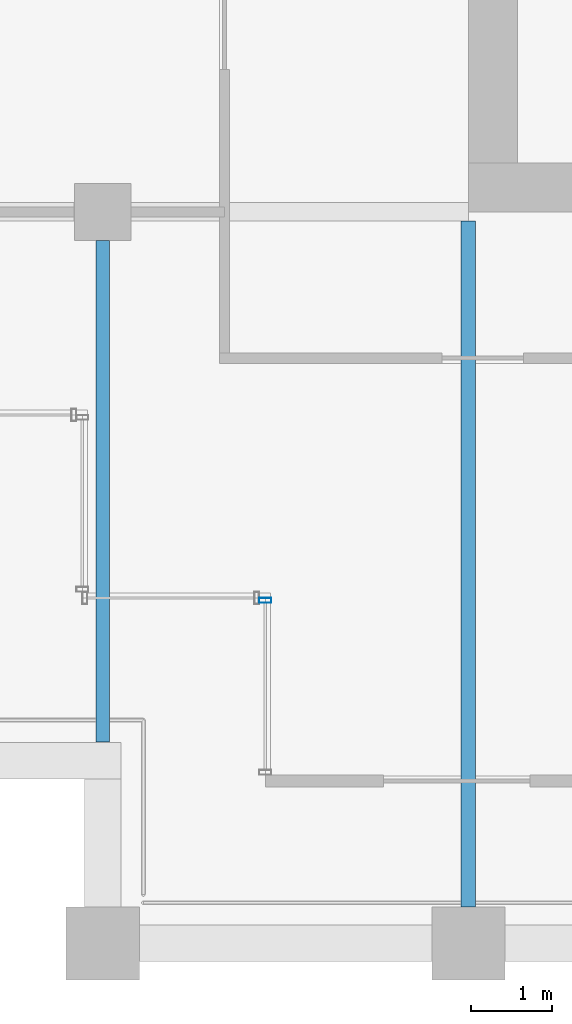
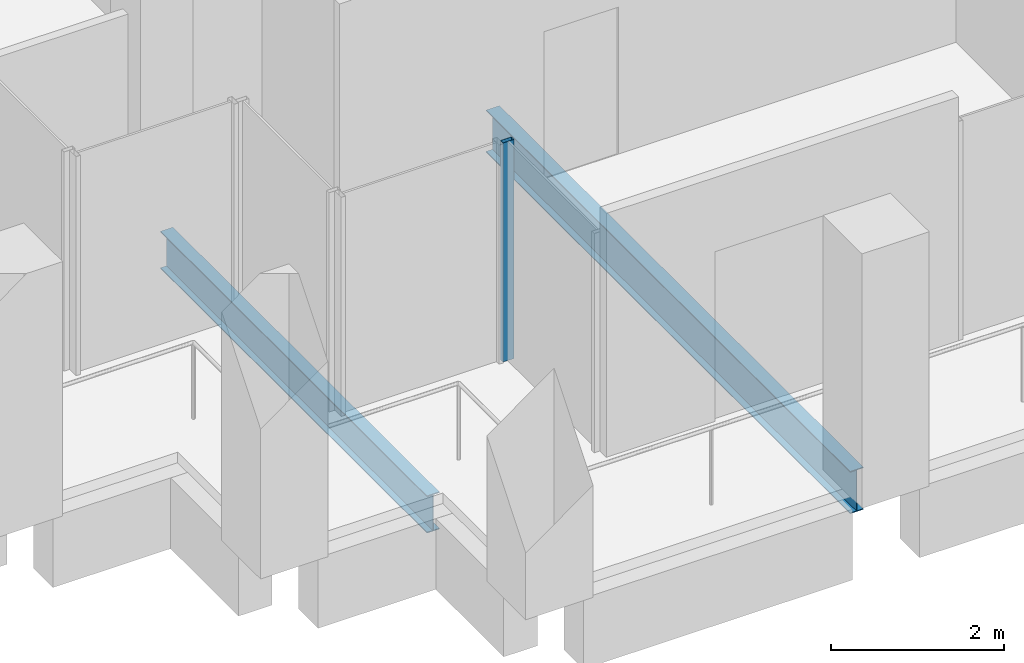
# One storey, part 29 of 40: 2 beams, 1 member, 1 element without a shape of its own.
"""IFC4 building model written with IfcOpenShell, lengths in metres."""

import ifcopenshell
import ifcopenshell.guid

model = None  # the IFC model being written
_history = None  # IfcOwnerHistory: only IFC2X3 demands one
_inside = {}  # id of a spatial element -> (the spatial element, [elements in it])
_under = {}  # id of a project, library or spatial element -> (it, [spatial elements below it])
_declared = {}  # id of a project -> (the project, [libraries it declares])
_typed = {}  # id of a type object -> (the type object, [elements of that type])
_made_of = {}  # id of a material, layer set ... -> (it, [elements and type objects made of it])


def new_model(schema):
    """Start an empty IFC model of exactly this schema.

    Asked for "IFC4X3", IfcOpenShell would pick the latest addendum, in which some entities
    have other attributes; the version numbers below select the first issue.
    IFC2X3 requires an IfcOwnerHistory on every rooted entity: one is made here for all.
    """
    global model, _history
    if schema == "IFC4X3":
        model = ifcopenshell.file(schema_version=(4, 3, 0, 0))
    else:
        model = ifcopenshell.file(schema=schema)
    _inside.clear()
    _under.clear()
    _declared.clear()
    _typed.clear()
    _made_of.clear()
    _history = None
    if model.schema == "IFC2X3":
        org = make("IfcOrganization", Name="unknown")
        user = make(
            "IfcPersonAndOrganization",
            ThePerson=make("IfcPerson", FamilyName="unknown"),
            TheOrganization=org,
        )
        app = make(
            "IfcApplication",
            ApplicationDeveloper=org,
            Version="unknown",
            ApplicationFullName="unknown",
            ApplicationIdentifier="unknown",
        )
        _history = make(
            "IfcOwnerHistory",
            OwningUser=user,
            OwningApplication=app,
            ChangeAction="ADDED",
            CreationDate=0,
        )
    return model


def make(cls, **values):
    """One entity of the class cls with the attributes given. An attribute that is None is left unset."""
    return model.create_entity(
        cls, **{name: value for name, value in values.items() if value is not None}
    )


def rooted(cls, **values):
    """An entity with a GlobalId (a new one), such as an element, a storey or a relation."""
    return make(cls, GlobalId=ifcopenshell.guid.new(), OwnerHistory=_history, **values)


def si_unit(unit_type, name, prefix=None):
    """IfcSIUnit, for example si_unit("LENGTHUNIT", "METRE", prefix="MILLI")."""
    return make("IfcSIUnit", UnitType=unit_type, Prefix=prefix, Name=name)


def assignment(units):
    """IfcUnitAssignment: the units of a project."""
    return None if units is None else make("IfcUnitAssignment", Units=units)


def point(xyz):
    """IfcCartesianPoint."""
    return None if xyz is None else make("IfcCartesianPoint", Coordinates=xyz)


def direction(xyz):
    """IfcDirection."""
    return None if xyz is None else make("IfcDirection", DirectionRatios=xyz)


def frame(location, z_axis=None, x_axis=None):
    """IfcAxis2Placement3D, a coordinate frame: its origin and axes. An axis left out is left unset."""
    return make(
        "IfcAxis2Placement3D",
        Location=point(location),
        Axis=direction(z_axis),
        RefDirection=direction(x_axis),
    )


def frame_2d(location, x_axis=None):
    """IfcAxis2Placement2D, a coordinate frame in the plane: its origin and x axis."""
    return make(
        "IfcAxis2Placement2D", Location=point(location), RefDirection=direction(x_axis)
    )


def origin():
    """The frame at (0, 0, 0) with its axes left unset."""
    return frame((0.0, 0.0, 0.0))


def origin_2d():
    """The frame at (0, 0) in the plane with its x axis left unset."""
    return frame_2d((0.0, 0.0))


def place(relative_to, where):
    """IfcLocalPlacement: puts the frame where relative to a parent placement (None: the world)."""
    return make(
        "IfcLocalPlacement", PlacementRelTo=relative_to, RelativePlacement=where
    )


def context(
    kind, dimensions, precision=None, world=None, true_north=None, identifier=None
):
    """IfcGeometricRepresentationContext, for example the 3D "Model" context."""
    return make(
        "IfcGeometricRepresentationContext",
        ContextIdentifier=identifier,
        ContextType=kind,
        CoordinateSpaceDimension=dimensions,
        Precision=precision,
        WorldCoordinateSystem=world,
        TrueNorth=true_north,
    )


def subcontext(parent, identifier, kind, view, scale=None):
    """IfcGeometricRepresentationSubContext, for example "Body" below "Model"."""
    return make(
        "IfcGeometricRepresentationSubContext",
        ContextIdentifier=identifier,
        ContextType=kind,
        ParentContext=parent,
        TargetScale=scale,
        TargetView=view,
    )


def project(units=None, contexts=None):
    """IfcProject with its units and contexts."""
    return rooted(
        "IfcProject",
        Name="project",
        RepresentationContexts=contexts,
        UnitsInContext=assignment(units),
    )


def spatial(cls, under=None, at=None, **own):
    """A site, building, storey or space (cls), placed at a placement, below another one or the project."""
    s = rooted(cls, ObjectPlacement=at, **own)
    if under is not None:
        _under.setdefault(under.id(), (under, []))[1].append(s)
    return s


def profile(cls, at=None, kind="AREA", **sizes):
    """A parametric profile (cls). Its sizes go by their IFC names, for example OverallWidth=200.0."""
    return make(cls, ProfileType=kind, Position=at, **sizes)


def hollow_rectangle(**sizes):
    """IfcRectangleHollowProfileDef."""
    return profile("IfcRectangleHollowProfileDef", **sizes)


def i_section(**sizes):
    """IfcIShapeProfileDef."""
    return profile("IfcIShapeProfileDef", **sizes)


def extrude(swept, where, along, depth):
    """IfcExtrudedAreaSolid: the profile swept, set in the frame where, extruded along a direction by depth."""
    return make(
        "IfcExtrudedAreaSolid",
        SweptArea=swept,
        Position=where,
        ExtrudedDirection=direction(along),
        Depth=depth,
    )


def shape(context_of_items, identifier, shape_type, items):
    """IfcShapeRepresentation: the items that make up one representation, for example the "Body"."""
    return make(
        "IfcShapeRepresentation",
        ContextOfItems=context_of_items,
        RepresentationIdentifier=identifier,
        RepresentationType=shape_type,
        Items=items,
    )


def material(Name=None, Category=None):
    """IfcMaterial."""
    return make("IfcMaterial", Name=Name, Category=Category)


def material_profile(
    of_material, cross_section, Name=None, Category=None, Priority=None
):
    """IfcMaterialProfile: a cross section and its material."""
    return make(
        "IfcMaterialProfile",
        Name=Name,
        Material=of_material,
        Profile=cross_section,
        Priority=Priority,
        Category=Category,
    )


def profile_set(profiles, Name=None, composite=None):
    """IfcMaterialProfileSet."""
    return make(
        "IfcMaterialProfileSet",
        Name=Name,
        MaterialProfiles=profiles,
        CompositeProfile=composite,
    )


def made_of(thing, what):
    """Note that an element or type object is made of a material, layer set ...; save() writes the relation."""
    if what is not None:
        _made_of.setdefault(what.id(), (what, []))[1].append(thing)
    return thing


def type_object(cls, material=None, **own):
    """A type object (cls), such as IfcWallType, which elements share."""
    return made_of(rooted(cls, **own), material)


def element(
    cls,
    number,
    at=None,
    inside=None,
    cuts=None,
    type_object=None,
    material=None,
    context=None,
    identifier="Body",
    shape_type=None,
    held_by="IfcProductDefinitionShape",
    body=None,
    shapes=None,
    **own,
):
    """One element of the class cls, such as IfcWall. Its Tag is "e" and its number.

    at: its placement. inside: the storey or other place that contains it. cuts: it is an
    opening in that element (IfcRelVoidsElement). A single representation is given by context,
    identifier, shape_type and body (its items); several are given by shapes. held_by: the class
    of the entity that holds the representations. save() writes the other relations.
    """
    e = rooted(cls, Tag="e%d" % number, ObjectPlacement=at, **own)
    if body is not None:
        shapes = [shape(context, identifier, shape_type, body)]
    if shapes is not None:
        e.Representation = make(held_by, Representations=shapes)
    if inside is not None:
        _inside.setdefault(inside.id(), (inside, []))[1].append(e)
    if cuts is not None:
        rooted(
            "IfcRelVoidsElement", RelatingBuildingElement=cuts, RelatedOpeningElement=e
        )
    if type_object is not None:
        _typed.setdefault(type_object.id(), (type_object, []))[1].append(e)
    return made_of(e, material)


def aggregate(whole, parts):
    """IfcRelAggregates: a whole, such as a stair, and the parts it consists of."""
    return rooted("IfcRelAggregates", RelatingObject=whole, RelatedObjects=parts)


def save(model, path):
    """Write the relations noted so far, then the file.

    IfcRelAggregates (storeys below a building ...), IfcRelContainedInSpatialStructure (elements
    in a storey), IfcRelDefinesByType, IfcRelAssociatesMaterial and IfcRelDeclares: one each for
    every whole, place, type object, material and project.
    """
    for whole, parts in _under.values():
        aggregate(whole, parts)
    for where, things in _inside.values():
        rooted(
            "IfcRelContainedInSpatialStructure",
            RelatedElements=things,
            RelatingStructure=where,
        )
    for kind, things in _typed.values():
        rooted("IfcRelDefinesByType", RelatedObjects=things, RelatingType=kind)
    for what, things in _made_of.values():
        rooted("IfcRelAssociatesMaterial", RelatedObjects=things, RelatingMaterial=what)
    for by, libraries in _declared.values():
        rooted("IfcRelDeclares", RelatingContext=by, RelatedDefinitions=libraries)
    model.write(path)


model = new_model("IFC4")

# Units and contexts
model_context = context("Model", 3, precision=1e-05, world=origin(), true_north=direction((0.0, 1.0)))
body_context = subcontext(model_context, "Body", "Model", "MODEL_VIEW")
ifc_project = project(units=[si_unit("LENGTHUNIT", "METRE"), si_unit("AREAUNIT", "SQUARE_METRE"), si_unit("VOLUMEUNIT", "CUBIC_METRE"), si_unit("PLANEANGLEUNIT", "RADIAN"), si_unit("MASSUNIT", "GRAM", prefix="KILO")], contexts=[model_context])

# Site, building, storey
site_placement = place(None, origin())
site = spatial("IfcSite", under=ifc_project, at=site_placement, CompositionType="ELEMENT")
building_placement = place(site_placement, origin())
building = spatial("IfcBuilding", under=site, at=building_placement, Name="Altepetl Exchange Towers", CompositionType="ELEMENT")
storey_placement = place(building_placement, frame((0.0, 0.0, 165.39990234375)))
storey = spatial("IfcBuildingStorey", under=building, at=storey_placement, Name="L41", CompositionType="ELEMENT", Elevation=165.39990234375)

# Beams
ifc_material_1 = material(Name="Steel S355", Category="steel")
ifc_material_profile_1 = material_profile(ifc_material_1, i_section(OverallWidth=0.166015625, OverallDepth=0.529052734375, WebThickness=0.009765625, FlangeThickness=0.013671875, at=origin_2d()), Name="W21X50")
ifc_profile_set_1 = profile_set([ifc_material_profile_1], Name="Steel S355")
beam_type_1 = type_object("IfcBeamType", Name="Floor beam W21X50", PredefinedType="BEAM", material=ifc_profile_set_1)
beam_1_placement = place(storey_placement, frame((99.0, 29.47509765625, -0.414306640625), z_axis=(0.0, 1.0, 0.0), x_axis=(-1.0, 0.0, 0.0)))
element("IfcBeam", 1, at=beam_1_placement, inside=storey, type_object=beam_type_1, Name="bm:B:L41:000", PredefinedType="BEAM", context=body_context, shape_type="SweptSolid", body=[
    extrude(i_section(OverallWidth=0.166015625, OverallDepth=0.529052734375, WebThickness=0.009765625, FlangeThickness=0.013671875, at=origin_2d()), origin(), (0.0, 0.0, 1.0), 6.1748046875),
])
ifc_material_profile_2 = material_profile(ifc_material_1, i_section(OverallWidth=0.177978515625, OverallDepth=0.59912109375, WebThickness=0.010009765625, FlangeThickness=0.0126953125, at=origin_2d()), Name="W24X55")
ifc_profile_set_2 = profile_set([ifc_material_profile_2], Name="Steel S355")
beam_type_2 = type_object("IfcBeamType", Name="Floor beam W24X55", PredefinedType="BEAM", material=ifc_profile_set_2)
beam_2_placement = place(storey_placement, frame((103.5, 27.449951171875, -0.449462890625), z_axis=(0.0, 1.0, 0.0), x_axis=(-1.0, 0.0, 0.0)))
element("IfcBeam", 2, at=beam_2_placement, inside=storey, type_object=beam_type_2, Name="bm:B:L41:001", PredefinedType="BEAM", context=body_context, shape_type="SweptSolid", body=[
    extrude(i_section(OverallWidth=0.177978515625, OverallDepth=0.59912109375, WebThickness=0.010009765625, FlangeThickness=0.0126953125, at=origin_2d()), origin(), (0.0, 0.0, 1.0), 8.43603515625),
])

# Curtain wall, member
ifc_material_2 = material(Name="Aluminium 6063-T6 glazing", Category="aluminium")
curtain_wall_type = type_object("IfcCurtainWallType", Name="Loggia glazing system", PredefinedType="NOTDEFINED", material=ifc_material_2)
curtain_wall_placement = place(storey_placement, origin())
curtain_wall = element("IfcCurtainWall", 3, at=curtain_wall_placement, inside=storey, type_object=curtain_wall_type, Name="CW1 run", PredefinedType="NOTDEFINED")
ifc_material_3 = material(Name="Aluminium 6063-T6", Category="aluminium")
ifc_material_profile_3 = material_profile(ifc_material_3, hollow_rectangle(XDim=0.06005859375, YDim=0.14990234375, WallThickness=0.0029296875, at=origin_2d()), Name="Mullion 60x150 aluminium")
ifc_profile_set_3 = profile_set([ifc_material_profile_3], Name="Aluminium 6063-T6")
member_type = type_object("IfcMemberType", Name="Mullion 60x150 aluminium", PredefinedType="MULLION", material=ifc_profile_set_3)
member_placement = place(storey_placement, frame((101.0, 31.219970703125, 0.0), z_axis=(0.0, 0.0, 1.0), x_axis=(0.0, -1.0, 0.0)))
member = element("IfcMember", 4, at=member_placement, type_object=member_type, Name="MU1 mullion", PredefinedType="MULLION", context=body_context, shape_type="SweptSolid", body=[
    extrude(hollow_rectangle(XDim=0.06005859375, YDim=0.14990234375, WallThickness=0.0029296875, at=origin_2d()), origin(), (0.0, 0.0, 1.0), 3.10009765625),
])
aggregate(curtain_wall, [member])

save(model, "model.ifc")
